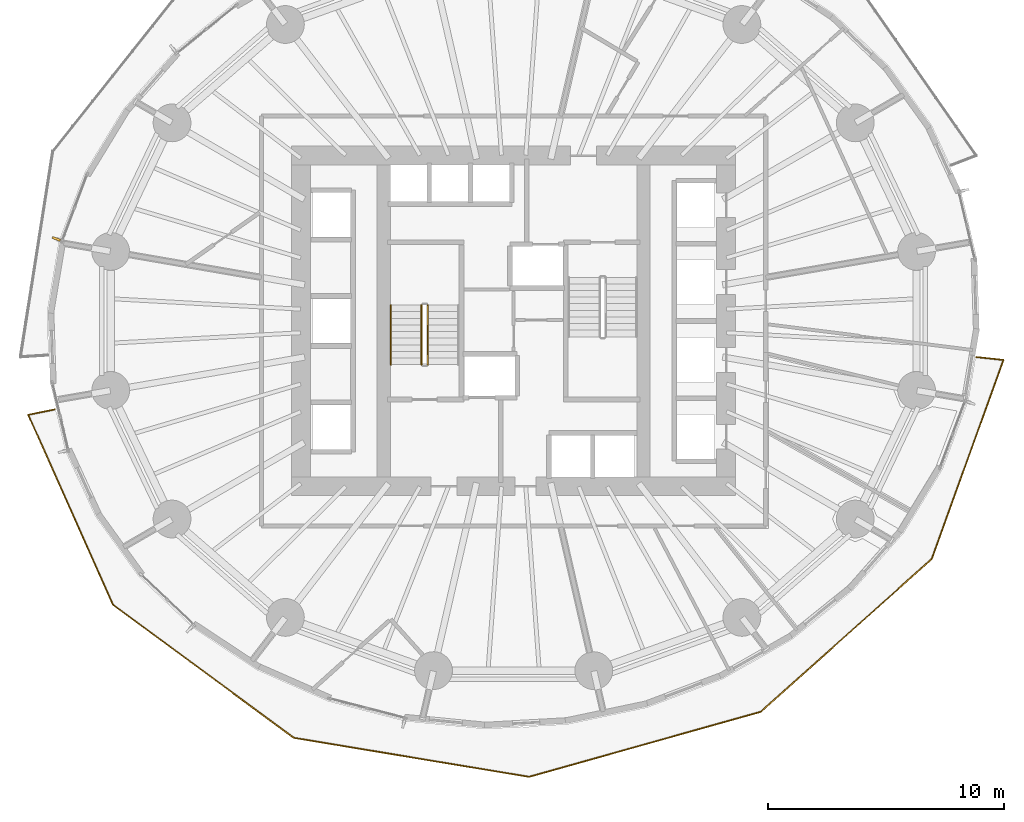
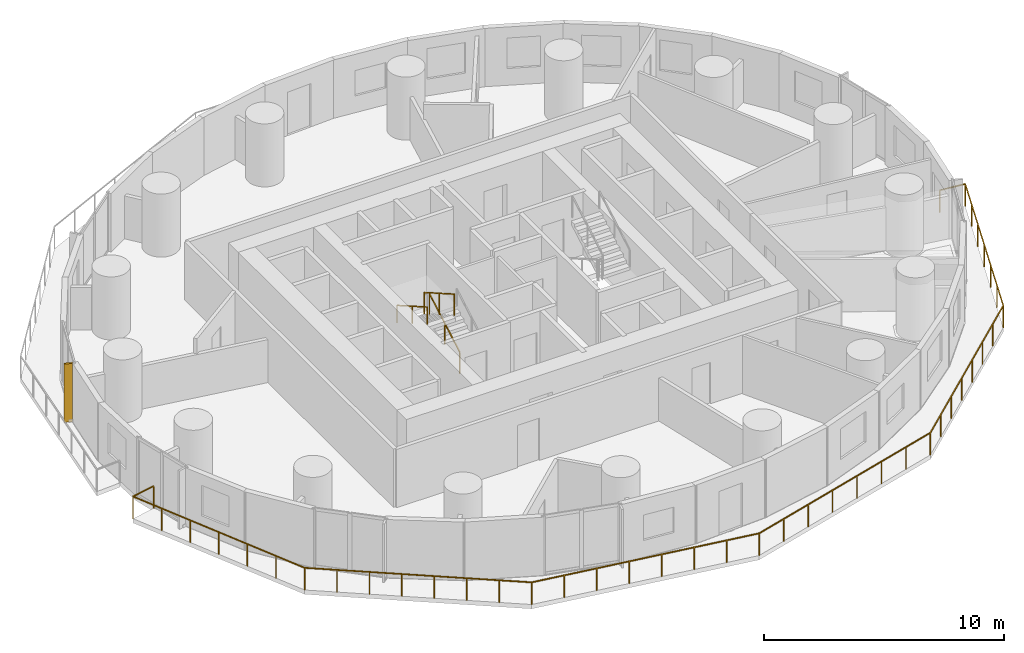
# One storey, part 12 of 14: 4 railings, 1 shading device.
"""IFC4 building model written with IfcOpenShell, lengths in metres."""

from ifc_helpers import new_model, si_unit, direction, frame, origin, origin_2d, place, context, subcontext, project, spatial, rectangle, extrude, material, layer, layer_set, type_object, element, save


model = new_model("IFC4")

# Units and contexts
model_context = context("Model", 3, precision=1e-05, world=origin(), true_north=direction((0.0, 1.0)))
body_context = subcontext(model_context, "Body", "Model", "MODEL_VIEW")
ifc_project = project(units=[si_unit("LENGTHUNIT", "METRE"), si_unit("AREAUNIT", "SQUARE_METRE"), si_unit("VOLUMEUNIT", "CUBIC_METRE"), si_unit("PLANEANGLEUNIT", "RADIAN"), si_unit("MASSUNIT", "GRAM", prefix="KILO")], contexts=[model_context])

# Site, building, storey
site_placement = place(None, origin())
site = spatial("IfcSite", under=ifc_project, at=site_placement, CompositionType="ELEMENT")
building_placement = place(site_placement, origin())
building = spatial("IfcBuilding", under=site, at=building_placement, Name="Veldorim Arch Residences", CompositionType="ELEMENT")
storey_placement = place(building_placement, frame((0.0, 0.0, 40.800048828125)))
storey = spatial("IfcBuildingStorey", under=building, at=storey_placement, Name="L11", CompositionType="ELEMENT", Elevation=40.800048828125)

# Railings
ifc_material_1 = material(Name="Aluminium", Category="aluminium")
railing_type_1 = type_object("IfcRailingType", Name="Balcony & Terrace Laminated Glass Balustrade 1150", PredefinedType="BALUSTRADE", material=ifc_material_1)
railing_1_placement = place(storey_placement, frame((12.56884765625, 20.253662109375, 0.0)))
element("IfcRailing", 1, at=railing_1_placement, inside=storey, type_object=railing_type_1, Name="L11 crescent balcony safety balustrade B", PredefinedType="BALUSTRADE", context=body_context, shape_type="SweptSolid", body=[
    extrude(rectangle(XDim=0.048095703125, YDim=0.048095703125, at=origin_2d()), frame((0.0, 0.0, 1.1259765625), z_axis=(-0.98018677994, -0.198075431164, 0.0), x_axis=(0.198075431164, -0.98018677994, 0.0)), (0.0, 0.0, 1.0), 1.14990234375),
    extrude(rectangle(XDim=0.048095703125, YDim=0.048095703125, at=origin_2d()), frame((-1.127197265625, -0.227783203125, 1.1259765625), z_axis=(0.407703225466, -0.913114494434, 0.0), x_axis=(0.913114494434, 0.407703225466, 0.0)), (0.0, 0.0, 1.0), 8.812744140625),
    extrude(rectangle(XDim=0.048095703125, YDim=0.048095703125, at=origin_2d()), frame((2.4658203125, -8.27490234375, 1.1259765625), z_axis=(0.80521403008, -0.592984287955, 0.0), x_axis=(0.592984287955, 0.80521403008, 0.0)), (0.0, 0.0, 1.0), 9.501953125),
    extrude(rectangle(XDim=0.048095703125, YDim=0.048095703125, at=origin_2d()), frame((10.116943359375, -13.909423828125, 1.1259765625), z_axis=(0.986516409648, -0.163662376542, 0.0), x_axis=(0.163662376542, 0.986516409648, 0.0)), (0.0, 0.0, 1.0), 10.10498046875),
    extrude(rectangle(XDim=0.048095703125, YDim=0.048095703125, at=origin_2d()), frame((20.085693359375, -15.563232421875, 1.1259765625), z_axis=(0.962734160995, 0.270449505921, 0.0), x_axis=(-0.270449505921, 0.962734160995, 0.0)), (0.0, 0.0, 1.0), 10.197265625),
    extrude(rectangle(XDim=0.048095703125, YDim=0.048095703125, at=origin_2d()), frame((29.90283203125, -12.805419921875, 1.1259765625), z_axis=(0.745463588348, 0.666546351312, 0.0), x_axis=(-0.666546351312, 0.745463588348, 0.0)), (0.0, 0.0, 1.0), 9.707763671875),
    extrude(rectangle(XDim=0.048095703125, YDim=0.048095703125, at=origin_2d()), frame((37.1396484375, -6.334716796875, 1.1259765625), z_axis=(0.338993500644, 0.940788715133, 0.0), x_axis=(-0.940788715133, 0.338993500644, 0.0)), (0.0, 0.0, 1.0), 8.959228515625),
    extrude(rectangle(XDim=0.048095703125, YDim=0.048095703125, at=origin_2d()), frame((40.1767578125, 2.093994140625, 1.1259765625), z_axis=(-0.994144958827, 0.108054619697, 0.0), x_axis=(-0.108054619697, -0.994144958827, 0.0)), (0.0, 0.0, 1.0), 1.150146484375),
    extrude(rectangle(XDim=0.0419921875, YDim=0.0419921875, at=origin_2d()), origin(), (0.0, 0.0, 1.0), 1.101806640625),
    extrude(rectangle(XDim=0.0419921875, YDim=0.0419921875, at=origin_2d()), frame((-1.127197265625, -0.227783203125, 0.0)), (0.0, 0.0, 1.0), 1.101806640625),
    extrude(rectangle(XDim=0.0419921875, YDim=0.0419921875, at=origin_2d()), frame((-0.5283203125, -1.56884765625, 0.0)), (0.0, 0.0, 1.0), 1.101806640625),
    extrude(rectangle(XDim=0.0419921875, YDim=0.0419921875, at=origin_2d()), frame((0.070556640625, -2.91015625, 0.0)), (0.0, 0.0, 1.0), 1.101806640625),
    extrude(rectangle(XDim=0.0419921875, YDim=0.0419921875, at=origin_2d()), frame((0.66943359375, -4.25146484375, 0.0)), (0.0, 0.0, 1.0), 1.101806640625),
    extrude(rectangle(XDim=0.0419921875, YDim=0.0419921875, at=origin_2d()), frame((1.26806640625, -5.592529296875, 0.0)), (0.0, 0.0, 1.0), 1.101806640625),
    extrude(rectangle(XDim=0.0419921875, YDim=0.0419921875, at=origin_2d()), frame((1.866943359375, -6.93359375, 0.0)), (0.0, 0.0, 1.0), 1.101806640625),
    extrude(rectangle(XDim=0.0419921875, YDim=0.0419921875, at=origin_2d()), frame((2.4658203125, -8.27490234375, 0.0)), (0.0, 0.0, 1.0), 1.101806640625),
    extrude(rectangle(XDim=0.0419921875, YDim=0.0419921875, at=origin_2d()), frame((3.558837890625, -9.079833984375, 0.0)), (0.0, 0.0, 1.0), 1.101806640625),
    extrude(rectangle(XDim=0.0419921875, YDim=0.0419921875, at=origin_2d()), frame((4.65185546875, -9.884765625, 0.0)), (0.0, 0.0, 1.0), 1.101806640625),
    extrude(rectangle(XDim=0.0419921875, YDim=0.0419921875, at=origin_2d()), frame((5.744873046875, -10.689697265625, 0.0)), (0.0, 0.0, 1.0), 1.101806640625),
    extrude(rectangle(XDim=0.0419921875, YDim=0.0419921875, at=origin_2d()), frame((6.837890625, -11.49462890625, 0.0)), (0.0, 0.0, 1.0), 1.101806640625),
    extrude(rectangle(XDim=0.0419921875, YDim=0.0419921875, at=origin_2d()), frame((7.930908203125, -12.299560546875, 0.0)), (0.0, 0.0, 1.0), 1.101806640625),
    extrude(rectangle(XDim=0.0419921875, YDim=0.0419921875, at=origin_2d()), frame((9.02392578125, -13.1044921875, 0.0)), (0.0, 0.0, 1.0), 1.101806640625),
    extrude(rectangle(XDim=0.0419921875, YDim=0.0419921875, at=origin_2d()), frame((10.116943359375, -13.909423828125, 0.0)), (0.0, 0.0, 1.0), 1.101806640625),
    extrude(rectangle(XDim=0.0419921875, YDim=0.0419921875, at=origin_2d()), frame((11.541015625, -14.145751953125, 0.0)), (0.0, 0.0, 1.0), 1.101806640625),
    extrude(rectangle(XDim=0.0419921875, YDim=0.0419921875, at=origin_2d()), frame((12.965087890625, -14.3818359375, 0.0)), (0.0, 0.0, 1.0), 1.101806640625),
    extrude(rectangle(XDim=0.0419921875, YDim=0.0419921875, at=origin_2d()), frame((14.38916015625, -14.6181640625, 0.0)), (0.0, 0.0, 1.0), 1.101806640625),
    extrude(rectangle(XDim=0.0419921875, YDim=0.0419921875, at=origin_2d()), frame((15.8134765625, -14.8544921875, 0.0)), (0.0, 0.0, 1.0), 1.101806640625),
    extrude(rectangle(XDim=0.0419921875, YDim=0.0419921875, at=origin_2d()), frame((17.237548828125, -15.0908203125, 0.0)), (0.0, 0.0, 1.0), 1.101806640625),
    extrude(rectangle(XDim=0.0419921875, YDim=0.0419921875, at=origin_2d()), frame((18.66162109375, -15.326904296875, 0.0)), (0.0, 0.0, 1.0), 1.101806640625),
    extrude(rectangle(XDim=0.0419921875, YDim=0.0419921875, at=origin_2d()), frame((20.085693359375, -15.563232421875, 0.0)), (0.0, 0.0, 1.0), 1.101806640625),
    extrude(rectangle(XDim=0.0419921875, YDim=0.0419921875, at=origin_2d()), frame((21.488037109375, -15.169189453125, 0.0)), (0.0, 0.0, 1.0), 1.101806640625),
    extrude(rectangle(XDim=0.0419921875, YDim=0.0419921875, at=origin_2d()), frame((22.890625, -14.775390625, 0.0)), (0.0, 0.0, 1.0), 1.101806640625),
    extrude(rectangle(XDim=0.0419921875, YDim=0.0419921875, at=origin_2d()), frame((24.29296875, -14.38134765625, 0.0)), (0.0, 0.0, 1.0), 1.101806640625),
    extrude(rectangle(XDim=0.0419921875, YDim=0.0419921875, at=origin_2d()), frame((25.695556640625, -13.9873046875, 0.0)), (0.0, 0.0, 1.0), 1.101806640625),
    extrude(rectangle(XDim=0.0419921875, YDim=0.0419921875, at=origin_2d()), frame((27.097900390625, -13.59326171875, 0.0)), (0.0, 0.0, 1.0), 1.101806640625),
    extrude(rectangle(XDim=0.0419921875, YDim=0.0419921875, at=origin_2d()), frame((28.50048828125, -13.199462890625, 0.0)), (0.0, 0.0, 1.0), 1.101806640625),
    extrude(rectangle(XDim=0.0419921875, YDim=0.0419921875, at=origin_2d()), frame((29.90283203125, -12.805419921875, 0.0)), (0.0, 0.0, 1.0), 1.101806640625),
    extrude(rectangle(XDim=0.0419921875, YDim=0.0419921875, at=origin_2d()), frame((30.936767578125, -11.881103515625, 0.0)), (0.0, 0.0, 1.0), 1.101806640625),
    extrude(rectangle(XDim=0.0419921875, YDim=0.0419921875, at=origin_2d()), frame((31.970458984375, -10.95654296875, 0.0)), (0.0, 0.0, 1.0), 1.101806640625),
    extrude(rectangle(XDim=0.0419921875, YDim=0.0419921875, at=origin_2d()), frame((33.00439453125, -10.0322265625, 0.0)), (0.0, 0.0, 1.0), 1.101806640625),
    extrude(rectangle(XDim=0.0419921875, YDim=0.0419921875, at=origin_2d()), frame((34.0380859375, -9.10791015625, 0.0)), (0.0, 0.0, 1.0), 1.101806640625),
    extrude(rectangle(XDim=0.0419921875, YDim=0.0419921875, at=origin_2d()), frame((35.072021484375, -8.18359375, 0.0)), (0.0, 0.0, 1.0), 1.101806640625),
    extrude(rectangle(XDim=0.0419921875, YDim=0.0419921875, at=origin_2d()), frame((36.105712890625, -7.259033203125, 0.0)), (0.0, 0.0, 1.0), 1.101806640625),
    extrude(rectangle(XDim=0.0419921875, YDim=0.0419921875, at=origin_2d()), frame((37.1396484375, -6.334716796875, 0.0)), (0.0, 0.0, 1.0), 1.101806640625),
    extrude(rectangle(XDim=0.0419921875, YDim=0.0419921875, at=origin_2d()), frame((37.645751953125, -4.929931640625, 0.0)), (0.0, 0.0, 1.0), 1.101806640625),
    extrude(rectangle(XDim=0.0419921875, YDim=0.0419921875, at=origin_2d()), frame((38.152099609375, -3.525146484375, 0.0)), (0.0, 0.0, 1.0), 1.101806640625),
    extrude(rectangle(XDim=0.0419921875, YDim=0.0419921875, at=origin_2d()), frame((38.658203125, -2.120361328125, 0.0)), (0.0, 0.0, 1.0), 1.101806640625),
    extrude(rectangle(XDim=0.0419921875, YDim=0.0419921875, at=origin_2d()), frame((39.164306640625, -0.715576171875, 0.0)), (0.0, 0.0, 1.0), 1.101806640625),
    extrude(rectangle(XDim=0.0419921875, YDim=0.0419921875, at=origin_2d()), frame((39.670654296875, 0.689208984375, 0.0)), (0.0, 0.0, 1.0), 1.101806640625),
    extrude(rectangle(XDim=0.0419921875, YDim=0.0419921875, at=origin_2d()), frame((40.1767578125, 2.093994140625, 0.0)), (0.0, 0.0, 1.0), 1.101806640625),
    extrude(rectangle(XDim=0.0419921875, YDim=0.0419921875, at=origin_2d()), frame((39.033447265625, 2.21826171875, 0.0)), (0.0, 0.0, 1.0), 1.101806640625),
])
ifc_material_2 = material(Name="Steel S355", Category="steel")
railing_type_2 = type_object("IfcRailingType", Name="Galvanised Steel Stair Safety Guardrail 1100", PredefinedType="GUARDRAIL", material=ifc_material_2)
railing_2_placement = place(storey_placement, frame((28.360107421875, 22.14990234375, 0.159912109375)))
element("IfcRailing", 2, at=railing_2_placement, inside=storey, type_object=railing_type_2, Name="L11 ST-1 stair guard 1", PredefinedType="GUARDRAIL", context=body_context, shape_type="SweptSolid", body=[
    extrude(rectangle(XDim=0.048095703125, YDim=0.048095703125, at=origin_2d()), frame((0.0, 0.0, 1.076171875), z_axis=(0.0, 0.868253494771, 0.496120820787), x_axis=(-1.0, 0.0, 0.0)), (0.0, 0.0, 1.0), 2.90234375),
    extrude(rectangle(XDim=0.0419921875, YDim=0.0419921875, at=origin_2d()), origin(), (0.0, 0.0, 1.0), 1.052001953125),
    extrude(rectangle(XDim=0.0419921875, YDim=0.0419921875, at=origin_2d()), frame((0.0, 1.260009765625, 0.719970703125)), (0.0, 0.0, 1.0), 1.052001953125),
    extrude(rectangle(XDim=0.0419921875, YDim=0.0419921875, at=origin_2d()), frame((0.0, 2.52001953125, 1.43994140625)), (0.0, 0.0, 1.0), 1.052001953125),
])
railing_3_placement = place(storey_placement, frame((28.10009765625, 24.669921875, 1.760009765625)))
element("IfcRailing", 3, at=railing_3_placement, inside=storey, type_object=railing_type_2, Name="L11 ST-1 stair guard 3", PredefinedType="GUARDRAIL", context=body_context, shape_type="SweptSolid", body=[
    extrude(rectangle(XDim=0.048095703125, YDim=0.048095703125, at=origin_2d()), frame((0.0, 0.0, 1.076171875), z_axis=(0.0, -0.868253494771, 0.496120820787), x_axis=(1.0, 0.0, 0.0)), (0.0, 0.0, 1.0), 2.90234375),
    extrude(rectangle(XDim=0.0419921875, YDim=0.0419921875, at=origin_2d()), origin(), (0.0, 0.0, 1.0), 1.052001953125),
    extrude(rectangle(XDim=0.0419921875, YDim=0.0419921875, at=origin_2d()), frame((0.0, -1.260009765625, 0.719970703125)), (0.0, 0.0, 1.0), 1.052001953125),
    extrude(rectangle(XDim=0.0419921875, YDim=0.0419921875, at=origin_2d()), frame((0.0, -2.52001953125, 1.43994140625)), (0.0, 0.0, 1.0), 1.052001953125),
])
ifc_material_3 = material(Name="Stainless Steel", Category="steel")
railing_type_3 = type_object("IfcRailingType", Name="Tubular Steel Continuous Wall Handrail 900", PredefinedType="HANDRAIL", material=ifc_material_3)
railing_4_placement = place(storey_placement, frame((26.800048828125, 24.669921875, 1.760009765625)))
element("IfcRailing", 4, at=railing_4_placement, inside=storey, type_object=railing_type_3, Name="L11 ST-1 stair handrail 2", PredefinedType="HANDRAIL", context=body_context, shape_type="SweptSolid", body=[
    extrude(rectangle(XDim=0.048095703125, YDim=0.048095703125, at=origin_2d()), frame((0.0, 0.0, 0.8759765625), z_axis=(0.0, -0.868253494771, 0.496120820787), x_axis=(1.0, 0.0, 0.0)), (0.0, 0.0, 1.0), 2.90234375),
    extrude(rectangle(XDim=0.0419921875, YDim=0.0419921875, at=origin_2d()), origin(), (0.0, 0.0, 1.0), 0.851806640625),
    extrude(rectangle(XDim=0.0419921875, YDim=0.0419921875, at=origin_2d()), frame((0.0, -1.260009765625, 0.719970703125)), (0.0, 0.0, 1.0), 0.851806640625),
    extrude(rectangle(XDim=0.0419921875, YDim=0.0419921875, at=origin_2d()), frame((0.0, -2.52001953125, 1.43994140625)), (0.0, 0.0, 1.0), 0.851806640625),
])

# Shading device
ifc_material_4 = material(Name="Terracotta Ceramic", Category="masonry")
ifc_layer = layer(ifc_material_4, 0.090087890625, Name="Vertical Extruded Terracotta Baguette Sun-Shading Fin")
ifc_layer_set = layer_set([ifc_layer], Name="Terracotta Ceramic")
shading_device_type = type_object("IfcShadingDeviceType", Name="Vertical Extruded Terracotta Baguette Sun-Shading Fin", PredefinedType="USERDEFINED", material=ifc_layer_set)
shading_device_placement = place(storey_placement, frame((12.632080078125, 27.474853515625, 0.0), z_axis=(0.0, 0.0, 1.0), x_axis=(0.352984997999, 0.935628981588, 0.0)))
element("IfcShadingDevice", 5, at=shading_device_placement, inside=storey, type_object=shading_device_type, Name="L11 vertical terracotta sun-shading fin 16", ObjectType="FIN", PredefinedType="USERDEFINED", context=body_context, shape_type="SweptSolid", body=[
    extrude(rectangle(XDim=0.090087890625, YDim=0.360107421875, at=origin_2d()), origin(), (0.0, 0.0, 1.0), 2.9599609375),
])

save(model, "model.ifc")
